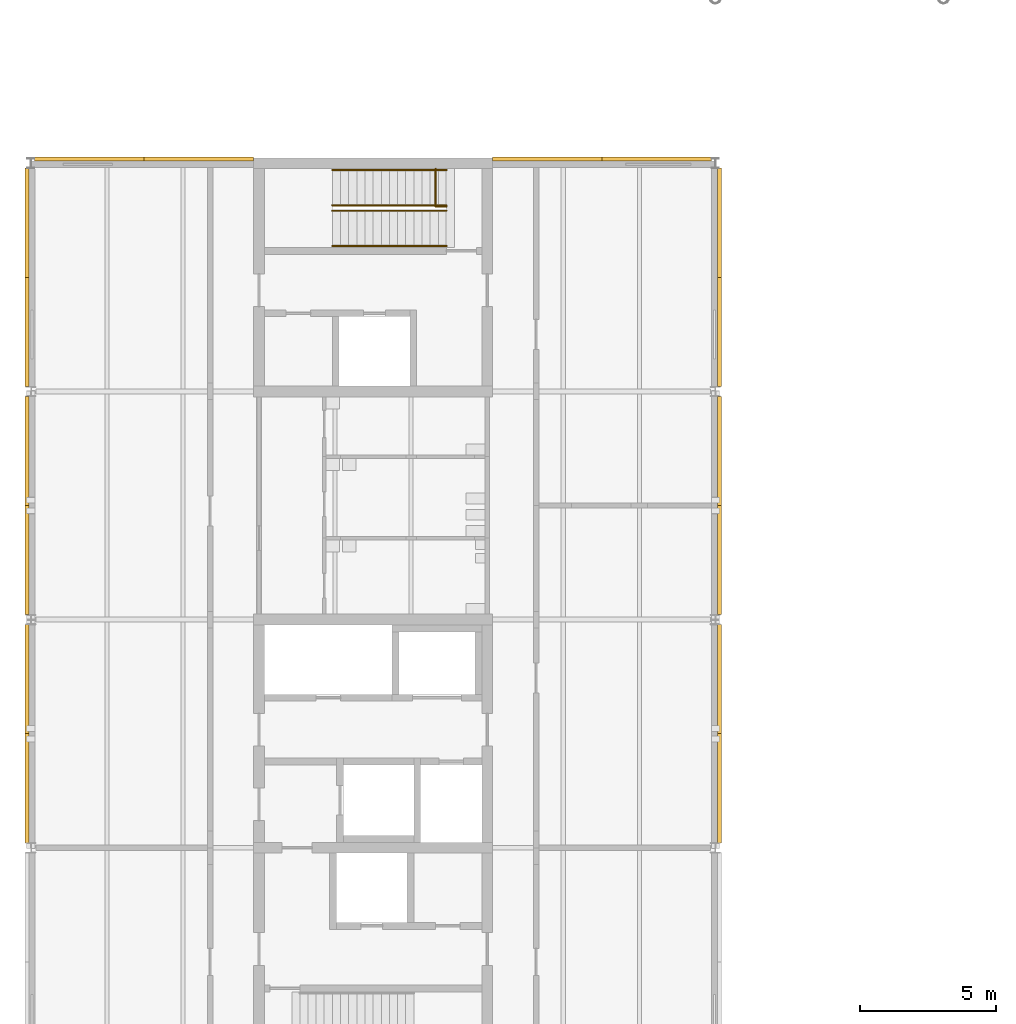
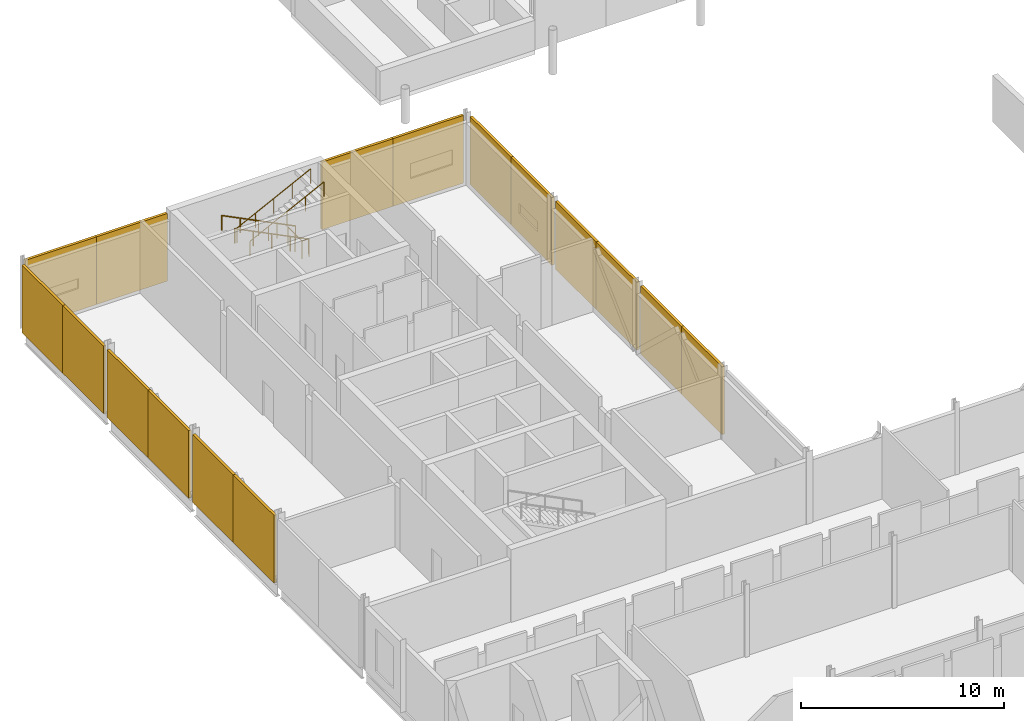
# One storey, part 64 of 72: 16 shading devices, 5 railings.
"""IFC4 building model written with IfcOpenShell, lengths in metres."""

import ifcopenshell
import ifcopenshell.guid

model = None  # the IFC model being written
_history = None  # IfcOwnerHistory: only IFC2X3 demands one
_inside = {}  # id of a spatial element -> (the spatial element, [elements in it])
_under = {}  # id of a project, library or spatial element -> (it, [spatial elements below it])
_declared = {}  # id of a project -> (the project, [libraries it declares])
_typed = {}  # id of a type object -> (the type object, [elements of that type])
_made_of = {}  # id of a material, layer set ... -> (it, [elements and type objects made of it])


def new_model(schema):
    """Start an empty IFC model of exactly this schema.

    Asked for "IFC4X3", IfcOpenShell would pick the latest addendum, in which some entities
    have other attributes; the version numbers below select the first issue.
    IFC2X3 requires an IfcOwnerHistory on every rooted entity: one is made here for all.
    """
    global model, _history
    if schema == "IFC4X3":
        model = ifcopenshell.file(schema_version=(4, 3, 0, 0))
    else:
        model = ifcopenshell.file(schema=schema)
    _inside.clear()
    _under.clear()
    _declared.clear()
    _typed.clear()
    _made_of.clear()
    _history = None
    if model.schema == "IFC2X3":
        org = make("IfcOrganization", Name="unknown")
        user = make(
            "IfcPersonAndOrganization",
            ThePerson=make("IfcPerson", FamilyName="unknown"),
            TheOrganization=org,
        )
        app = make(
            "IfcApplication",
            ApplicationDeveloper=org,
            Version="unknown",
            ApplicationFullName="unknown",
            ApplicationIdentifier="unknown",
        )
        _history = make(
            "IfcOwnerHistory",
            OwningUser=user,
            OwningApplication=app,
            ChangeAction="ADDED",
            CreationDate=0,
        )
    return model


def make(cls, **values):
    """One entity of the class cls with the attributes given. An attribute that is None is left unset."""
    return model.create_entity(
        cls, **{name: value for name, value in values.items() if value is not None}
    )


def rooted(cls, **values):
    """An entity with a GlobalId (a new one), such as an element, a storey or a relation."""
    return make(cls, GlobalId=ifcopenshell.guid.new(), OwnerHistory=_history, **values)


def si_unit(unit_type, name, prefix=None):
    """IfcSIUnit, for example si_unit("LENGTHUNIT", "METRE", prefix="MILLI")."""
    return make("IfcSIUnit", UnitType=unit_type, Prefix=prefix, Name=name)


def assignment(units):
    """IfcUnitAssignment: the units of a project."""
    return None if units is None else make("IfcUnitAssignment", Units=units)


def point(xyz):
    """IfcCartesianPoint."""
    return None if xyz is None else make("IfcCartesianPoint", Coordinates=xyz)


def direction(xyz):
    """IfcDirection."""
    return None if xyz is None else make("IfcDirection", DirectionRatios=xyz)


def frame(location, z_axis=None, x_axis=None):
    """IfcAxis2Placement3D, a coordinate frame: its origin and axes. An axis left out is left unset."""
    return make(
        "IfcAxis2Placement3D",
        Location=point(location),
        Axis=direction(z_axis),
        RefDirection=direction(x_axis),
    )


def frame_2d(location, x_axis=None):
    """IfcAxis2Placement2D, a coordinate frame in the plane: its origin and x axis."""
    return make(
        "IfcAxis2Placement2D", Location=point(location), RefDirection=direction(x_axis)
    )


def origin():
    """The frame at (0, 0, 0) with its axes left unset."""
    return frame((0.0, 0.0, 0.0))


def origin_2d():
    """The frame at (0, 0) in the plane with its x axis left unset."""
    return frame_2d((0.0, 0.0))


def place(relative_to, where):
    """IfcLocalPlacement: puts the frame where relative to a parent placement (None: the world)."""
    return make(
        "IfcLocalPlacement", PlacementRelTo=relative_to, RelativePlacement=where
    )


def context(
    kind, dimensions, precision=None, world=None, true_north=None, identifier=None
):
    """IfcGeometricRepresentationContext, for example the 3D "Model" context."""
    return make(
        "IfcGeometricRepresentationContext",
        ContextIdentifier=identifier,
        ContextType=kind,
        CoordinateSpaceDimension=dimensions,
        Precision=precision,
        WorldCoordinateSystem=world,
        TrueNorth=true_north,
    )


def subcontext(parent, identifier, kind, view, scale=None):
    """IfcGeometricRepresentationSubContext, for example "Body" below "Model"."""
    return make(
        "IfcGeometricRepresentationSubContext",
        ContextIdentifier=identifier,
        ContextType=kind,
        ParentContext=parent,
        TargetScale=scale,
        TargetView=view,
    )


def project(units=None, contexts=None):
    """IfcProject with its units and contexts."""
    return rooted(
        "IfcProject",
        Name="project",
        RepresentationContexts=contexts,
        UnitsInContext=assignment(units),
    )


def spatial(cls, under=None, at=None, **own):
    """A site, building, storey or space (cls), placed at a placement, below another one or the project."""
    s = rooted(cls, ObjectPlacement=at, **own)
    if under is not None:
        _under.setdefault(under.id(), (under, []))[1].append(s)
    return s


def profile(cls, at=None, kind="AREA", **sizes):
    """A parametric profile (cls). Its sizes go by their IFC names, for example OverallWidth=200.0."""
    return make(cls, ProfileType=kind, Position=at, **sizes)


def rectangle(**sizes):
    """IfcRectangleProfileDef."""
    return profile("IfcRectangleProfileDef", **sizes)


def circle(**sizes):
    """IfcCircleProfileDef."""
    return profile("IfcCircleProfileDef", **sizes)


def extrude(swept, where, along, depth):
    """IfcExtrudedAreaSolid: the profile swept, set in the frame where, extruded along a direction by depth."""
    return make(
        "IfcExtrudedAreaSolid",
        SweptArea=swept,
        Position=where,
        ExtrudedDirection=direction(along),
        Depth=depth,
    )


def shape(context_of_items, identifier, shape_type, items):
    """IfcShapeRepresentation: the items that make up one representation, for example the "Body"."""
    return make(
        "IfcShapeRepresentation",
        ContextOfItems=context_of_items,
        RepresentationIdentifier=identifier,
        RepresentationType=shape_type,
        Items=items,
    )


def material(Name=None, Category=None):
    """IfcMaterial."""
    return make("IfcMaterial", Name=Name, Category=Category)


def layer(
    of_material, thickness, ventilated=None, Name=None, Category=None, Priority=None
):
    """IfcMaterialLayer: one layer of a wall or slab, of a material (None: an air gap)."""
    return make(
        "IfcMaterialLayer",
        Material=of_material,
        LayerThickness=thickness,
        IsVentilated=ventilated,
        Name=Name,
        Category=Category,
        Priority=Priority,
    )


def layer_set(layers, Name=None):
    """IfcMaterialLayerSet."""
    return make("IfcMaterialLayerSet", MaterialLayers=layers, LayerSetName=Name)


def made_of(thing, what):
    """Note that an element or type object is made of a material, layer set ...; save() writes the relation."""
    if what is not None:
        _made_of.setdefault(what.id(), (what, []))[1].append(thing)
    return thing


def type_object(cls, material=None, **own):
    """A type object (cls), such as IfcWallType, which elements share."""
    return made_of(rooted(cls, **own), material)


def element(
    cls,
    number,
    at=None,
    inside=None,
    cuts=None,
    type_object=None,
    material=None,
    context=None,
    identifier="Body",
    shape_type=None,
    held_by="IfcProductDefinitionShape",
    body=None,
    shapes=None,
    **own,
):
    """One element of the class cls, such as IfcWall. Its Tag is "e" and its number.

    at: its placement. inside: the storey or other place that contains it. cuts: it is an
    opening in that element (IfcRelVoidsElement). A single representation is given by context,
    identifier, shape_type and body (its items); several are given by shapes. held_by: the class
    of the entity that holds the representations. save() writes the other relations.
    """
    e = rooted(cls, Tag="e%d" % number, ObjectPlacement=at, **own)
    if body is not None:
        shapes = [shape(context, identifier, shape_type, body)]
    if shapes is not None:
        e.Representation = make(held_by, Representations=shapes)
    if inside is not None:
        _inside.setdefault(inside.id(), (inside, []))[1].append(e)
    if cuts is not None:
        rooted(
            "IfcRelVoidsElement", RelatingBuildingElement=cuts, RelatedOpeningElement=e
        )
    if type_object is not None:
        _typed.setdefault(type_object.id(), (type_object, []))[1].append(e)
    return made_of(e, material)


def aggregate(whole, parts):
    """IfcRelAggregates: a whole, such as a stair, and the parts it consists of."""
    return rooted("IfcRelAggregates", RelatingObject=whole, RelatedObjects=parts)


def save(model, path):
    """Write the relations noted so far, then the file.

    IfcRelAggregates (storeys below a building ...), IfcRelContainedInSpatialStructure (elements
    in a storey), IfcRelDefinesByType, IfcRelAssociatesMaterial and IfcRelDeclares: one each for
    every whole, place, type object, material and project.
    """
    for whole, parts in _under.values():
        aggregate(whole, parts)
    for where, things in _inside.values():
        rooted(
            "IfcRelContainedInSpatialStructure",
            RelatedElements=things,
            RelatingStructure=where,
        )
    for kind, things in _typed.values():
        rooted("IfcRelDefinesByType", RelatedObjects=things, RelatingType=kind)
    for what, things in _made_of.values():
        rooted("IfcRelAssociatesMaterial", RelatedObjects=things, RelatingMaterial=what)
    for by, libraries in _declared.values():
        rooted("IfcRelDeclares", RelatingContext=by, RelatedDefinitions=libraries)
    model.write(path)


model = new_model("IFC4")

# Units and contexts
model_context = context("Model", 3, precision=1e-05, world=origin(), true_north=direction((0.0, 1.0)))
body_context = subcontext(model_context, "Body", "Model", "MODEL_VIEW")
ifc_project = project(units=[si_unit("LENGTHUNIT", "METRE"), si_unit("AREAUNIT", "SQUARE_METRE"), si_unit("VOLUMEUNIT", "CUBIC_METRE"), si_unit("PLANEANGLEUNIT", "RADIAN"), si_unit("MASSUNIT", "GRAM", prefix="KILO")], contexts=[model_context])

# Site, building, storey
site_placement = place(None, origin())
site = spatial("IfcSite", under=ifc_project, at=site_placement, CompositionType="ELEMENT")
building_placement = place(site_placement, origin())
building = spatial("IfcBuilding", under=site, at=building_placement, Name="Hlaing Beacon Police Headquarters", CompositionType="ELEMENT")
storey_placement = place(building_placement, frame((0.0, 0.0, 14.39990234375)))
storey = spatial("IfcBuildingStorey", under=building, at=storey_placement, Name="L03", CompositionType="ELEMENT", Elevation=14.39990234375)

# Shading devices
ifc_material_1 = material(Name="Perforated aluminium", Category="aluminium")
ifc_layer = layer(ifc_material_1, 0.14990234375)
ifc_layer_set = layer_set([ifc_layer], Name="Perforated aluminium")
shading_device_type = type_object("IfcShadingDeviceType", Name="Perforated screen panel 150", PredefinedType="JALOUSIE", material=ifc_layer_set)
for number, where, z_axis, x_axis, name in (
    (1, (33.75, 44.19091796875, 0.0), (0.0, 0.0, 1.0), (0.0, 1.0, 0.0), "Screen L03 E011"),
    (2, (33.75, 48.209228515625, 0.0), (0.0, 0.0, 1.0), (0.0, 1.0, 0.0), "Screen L03 E012"),
    (3, (33.75, 52.5908203125, 0.0), (0.0, 0.0, 1.0), (0.0, 1.0, 0.0), "Screen L03 E013"),
    (4, (33.75, 56.609130859375, 0.0), (0.0, 0.0, 1.0), (0.0, 1.0, 0.0), "Screen L03 E014"),
):
    element("IfcShadingDevice", number, at=place(storey_placement, frame(where, z_axis=z_axis, x_axis=x_axis)), inside=storey, type_object=shading_device_type, Name=name, PredefinedType="JALOUSIE", context=body_context, shape_type="SweptSolid", body=[
        extrude(rectangle(XDim=4.018310546875, YDim=0.14990234375, at=origin_2d()), origin(), (0.0, 0.0, 1.0), 4.070068359375),
    ])
for number, where, z_axis, x_axis, name in (
    (5, (33.75, 60.99169921875, 0.0), (0.0, 0.0, 1.0), (0.0, 1.0, 0.0), "Screen L03 E015"),
    (6, (33.75, 65.01220703125, 0.0), (0.0, 0.0, 1.0), (0.0, 1.0, 0.0), "Screen L03 E016"),
):
    element("IfcShadingDevice", number, at=place(storey_placement, frame(where, z_axis=z_axis, x_axis=x_axis)), inside=storey, type_object=shading_device_type, Name=name, PredefinedType="JALOUSIE", context=body_context, shape_type="SweptSolid", body=[
        extrude(rectangle(XDim=4.020263671875, YDim=0.14990234375, at=origin_2d()), origin(), (0.0, 0.0, 1.0), 4.070068359375),
    ])
for number, where, z_axis, x_axis, name in (
    (7, (31.4375, 67.35009765625, 0.0), (0.0, 0.0, 1.0), (-1.0, 0.0, 0.0), "Screen L03 N017"),
    (8, (27.41259765625, 67.35009765625, 0.0), (0.0, 0.0, 1.0), (-1.0, 0.0, 0.0), "Screen L03 N018"),
):
    element("IfcShadingDevice", number, at=place(storey_placement, frame(where, z_axis=z_axis, x_axis=x_axis)), inside=storey, type_object=shading_device_type, Name=name, PredefinedType="JALOUSIE", context=body_context, shape_type="SweptSolid", body=[
        extrude(rectangle(XDim=4.02490234375, YDim=0.14990234375, at=origin_2d()), origin(), (0.0, 0.0, 1.0), 4.070068359375),
    ])
for number, where, z_axis, x_axis, name in (
    (9, (14.581787109375, 67.35009765625, 0.0), (0.0, 0.0, 1.0), (-1.0, 0.0, 0.0), "Screen L03 N019"),
    (10, (10.54541015625, 67.35009765625, 0.0), (0.0, 0.0, 1.0), (-1.0, 0.0, 0.0), "Screen L03 N020"),
):
    element("IfcShadingDevice", number, at=place(storey_placement, frame(where, z_axis=z_axis, x_axis=x_axis)), inside=storey, type_object=shading_device_type, Name=name, PredefinedType="JALOUSIE", context=body_context, shape_type="SweptSolid", body=[
        extrude(rectangle(XDim=4.03662109375, YDim=0.14990234375, at=origin_2d()), origin(), (0.0, 0.0, 1.0), 4.070068359375),
    ])
for number, where, z_axis, x_axis, name in (
    (11, (8.25, 65.01220703125, 0.0), (0.0, 0.0, 1.0), (0.0, -1.0, 0.0), "Screen L03 W021"),
    (12, (8.25, 60.99169921875, 0.0), (0.0, 0.0, 1.0), (0.0, -1.0, 0.0), "Screen L03 W022"),
):
    element("IfcShadingDevice", number, at=place(storey_placement, frame(where, z_axis=z_axis, x_axis=x_axis)), inside=storey, type_object=shading_device_type, Name=name, PredefinedType="JALOUSIE", context=body_context, shape_type="SweptSolid", body=[
        extrude(rectangle(XDim=4.020263671875, YDim=0.14990234375, at=origin_2d()), origin(), (0.0, 0.0, 1.0), 4.070068359375),
    ])
for number, where, z_axis, x_axis, name in (
    (13, (8.25, 56.609130859375, 0.0), (0.0, 0.0, 1.0), (0.0, -1.0, 0.0), "Screen L03 W023"),
    (14, (8.25, 52.5908203125, 0.0), (0.0, 0.0, 1.0), (0.0, -1.0, 0.0), "Screen L03 W024"),
    (15, (8.25, 48.209228515625, 0.0), (0.0, 0.0, 1.0), (0.0, -1.0, 0.0), "Screen L03 W025"),
    (16, (8.25, 44.19091796875, 0.0), (0.0, 0.0, 1.0), (0.0, -1.0, 0.0), "Screen L03 W026"),
):
    element("IfcShadingDevice", number, at=place(storey_placement, frame(where, z_axis=z_axis, x_axis=x_axis)), inside=storey, type_object=shading_device_type, Name=name, PredefinedType="JALOUSIE", context=body_context, shape_type="SweptSolid", body=[
        extrude(rectangle(XDim=4.018310546875, YDim=0.14990234375, at=origin_2d()), origin(), (0.0, 0.0, 1.0), 4.070068359375),
    ])

# Railings
ifc_material_2 = material(Name="Stainless steel", Category="steel")
railing_type_1 = type_object("IfcRailingType", Name="Stair guard 1100", PredefinedType="GUARDRAIL", material=ifc_material_2)
railing_placement = place(storey_placement, frame((23.300048828125, 67.0, 0.0)))
element("IfcRailing", 17, at=railing_placement, inside=storey, type_object=railing_type_1, Name="Guard ST-P", PredefinedType="GUARDRAIL", context=body_context, shape_type="SweptSolid", body=[
    extrude(circle(Radius=0.02392578125, at=origin_2d()), frame((0.0, 0.0, 1.076171875), z_axis=(0.0, -1.0, 0.0), x_axis=(1.0, 0.0, 0.0)), (0.0, 0.0, 1.0), 1.39990234375),
    extrude(circle(Radius=0.02392578125, at=origin_2d()), frame((0.0, -1.39990234375, 1.076171875), z_axis=(1.0, 0.0, 0.0), x_axis=(0.0, 1.0, 0.0)), (0.0, 0.0, 1.0), 0.39990234375),
    extrude(circle(Radius=0.02099609375, at=origin_2d()), origin(), (0.0, 0.0, 1.0), 1.052001953125),
    extrude(circle(Radius=0.02099609375, at=origin_2d()), frame((0.0, -0.699951171875, 0.0)), (0.0, 0.0, 1.0), 1.052001953125),
    extrude(circle(Radius=0.02099609375, at=origin_2d()), frame((0.0, -1.39990234375, 0.0)), (0.0, 0.0, 1.0), 1.052001953125),
    extrude(circle(Radius=0.02099609375, at=origin_2d()), frame((0.39990234375, -1.39990234375, 0.0)), (0.0, 0.0, 1.0), 1.052001953125),
])
ifc_material_3 = material(Name="Stainless steel", Category="steel")
railing_type_2 = type_object("IfcRailingType", Name="Stair handrail 900", PredefinedType="HANDRAIL", material=ifc_material_3)
for number, where, name in (
    (18, (23.699951171875, 66.949951171875, 0.150146484375), "Handrail ST-P"),
    (19, (23.699951171875, 65.64990234375, 0.150146484375), "Handrail ST-P"),
):
    element("IfcRailing", number, at=place(storey_placement, frame(where)), inside=storey, type_object=railing_type_2, Name=name, PredefinedType="HANDRAIL", context=body_context, shape_type="SweptSolid", body=[
        extrude(circle(Radius=0.02392578125, at=origin_2d()), frame((0.0, 0.0, 0.8759765625), z_axis=(-0.894437589381, 0.0, 0.447192798132), x_axis=(0.0, -1.0, 0.0)), (0.0, 0.0, 1.0), 4.695556640625),
        extrude(circle(Radius=0.02099609375, at=origin_2d()), origin(), (0.0, 0.0, 1.0), 0.851806640625),
        extrude(circle(Radius=0.02099609375, at=origin_2d()), frame((-1.050048828125, 0.0, 0.52490234375)), (0.0, 0.0, 1.0), 0.851806640625),
        extrude(circle(Radius=0.02099609375, at=origin_2d()), frame((-2.10009765625, 0.0, 1.0498046875)), (0.0, 0.0, 1.0), 0.851806640625),
        extrude(circle(Radius=0.02099609375, at=origin_2d()), frame((-3.14990234375, 0.0, 1.574951171875)), (0.0, 0.0, 1.0), 0.851806640625),
        extrude(circle(Radius=0.02099609375, at=origin_2d()), frame((-4.199951171875, 0.0, 2.099853515625)), (0.0, 0.0, 1.0), 0.851806640625),
    ])
for number, where, name in (
    (20, (19.5, 65.449951171875, 2.400146484375), "Handrail ST-P"),
    (21, (19.5, 64.14990234375, 2.400146484375), "Handrail ST-P"),
):
    element("IfcRailing", number, at=place(storey_placement, frame(where)), inside=storey, type_object=railing_type_2, Name=name, PredefinedType="HANDRAIL", context=body_context, shape_type="SweptSolid", body=[
        extrude(circle(Radius=0.02392578125, at=origin_2d()), frame((0.0, 0.0, 0.8759765625), z_axis=(0.894437589381, 0.0, 0.447192798132), x_axis=(0.0, 1.0, 0.0)), (0.0, 0.0, 1.0), 4.695556640625),
        extrude(circle(Radius=0.02099609375, at=origin_2d()), origin(), (0.0, 0.0, 1.0), 0.851806640625),
        extrude(circle(Radius=0.02099609375, at=origin_2d()), frame((1.050048828125, 0.0, 0.52490234375)), (0.0, 0.0, 1.0), 0.851806640625),
        extrude(circle(Radius=0.02099609375, at=origin_2d()), frame((2.10009765625, 0.0, 1.0498046875)), (0.0, 0.0, 1.0), 0.851806640625),
        extrude(circle(Radius=0.02099609375, at=origin_2d()), frame((3.14990234375, 0.0, 1.574951171875)), (0.0, 0.0, 1.0), 0.851806640625),
        extrude(circle(Radius=0.02099609375, at=origin_2d()), frame((4.199951171875, 0.0, 2.099853515625)), (0.0, 0.0, 1.0), 0.851806640625),
    ])

save(model, "model.ifc")
